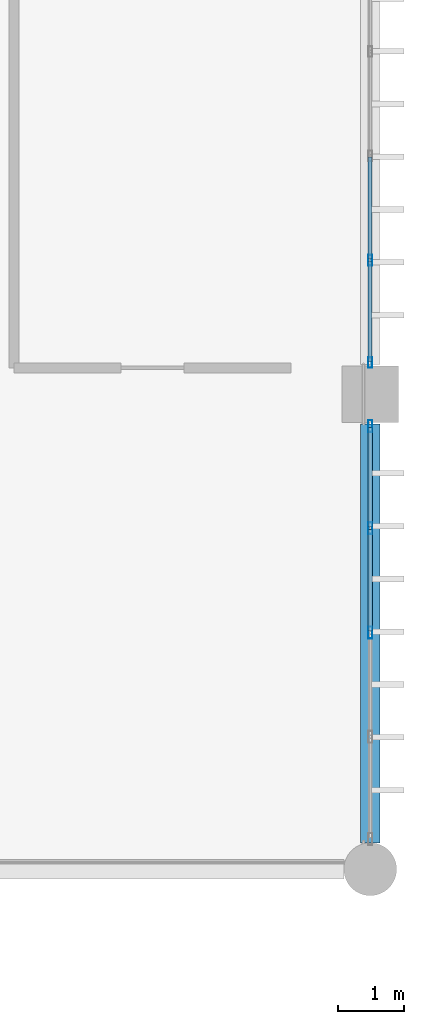
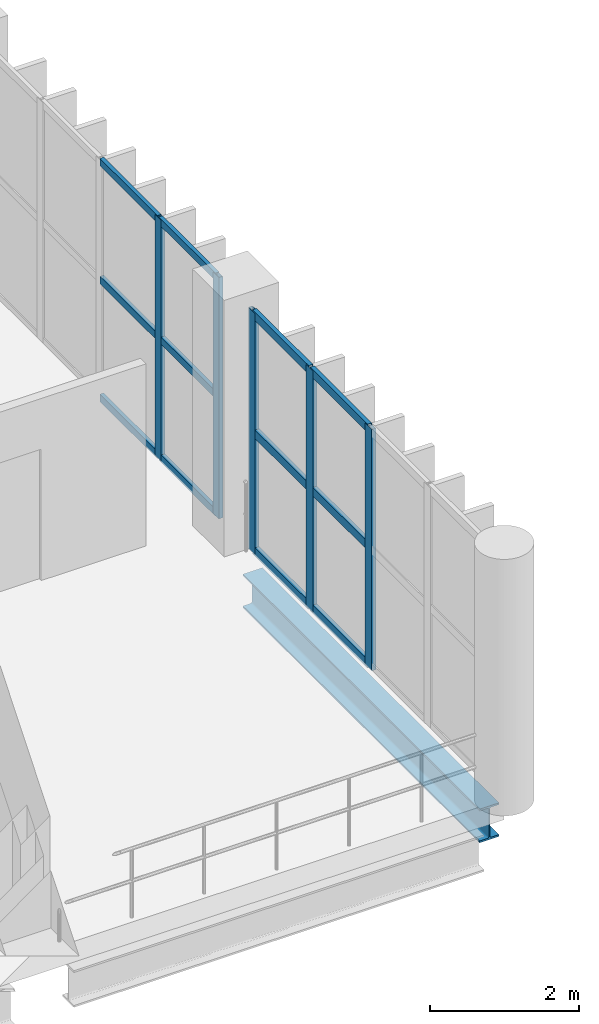
# One storey, part 75 of 153: 17 members, 1 beam, 2 elements without a shape of their own.
"""IFC4 building model written with IfcOpenShell, lengths in metres."""

from ifc_helpers import new_model, si_unit, direction, frame, origin, origin_2d, place, context, subcontext, project, spatial, hollow_rectangle, i_section, extrude, material, material_profile, profile_set, type_object, element, aggregate, save


model = new_model("IFC4")

# Units and contexts
model_context = context("Model", 3, precision=1e-05, world=origin(), true_north=direction((0.0, 1.0)))
body_context = subcontext(model_context, "Body", "Model", "MODEL_VIEW")
ifc_project = project(units=[si_unit("LENGTHUNIT", "METRE"), si_unit("AREAUNIT", "SQUARE_METRE"), si_unit("VOLUMEUNIT", "CUBIC_METRE"), si_unit("PLANEANGLEUNIT", "RADIAN"), si_unit("MASSUNIT", "GRAM", prefix="KILO")], contexts=[model_context])

# Site, building, storey
site_placement = place(None, origin())
site = spatial("IfcSite", under=ifc_project, at=site_placement, CompositionType="ELEMENT")
building_placement = place(site_placement, origin())
building = spatial("IfcBuilding", under=site, at=building_placement, Name="Qandorah Velis Arena", CompositionType="ELEMENT")
storey_placement = place(building_placement, frame((0.0, 0.0, 5.39990234375)))
storey = spatial("IfcBuildingStorey", under=building, at=storey_placement, Name="L01", CompositionType="ELEMENT", Elevation=5.39990234375)

# Curtain wall, members
ifc_material_1 = material(Name="Solar-control low-E double glazing", Category="glass")
curtain_wall_type_1 = type_object("IfcCurtainWallType", Name="ARC-CW-SYS19", PredefinedType="USERDEFINED", material=ifc_material_1)
curtain_wall_1_placement = place(storey_placement, origin())
curtain_wall_1 = element("IfcCurtainWall", 1, at=curtain_wall_1_placement, inside=storey, type_object=curtain_wall_type_1, Name="Unitised curtain wall L01-139", ObjectType="UNITISED CURTAIN WALL", PredefinedType="USERDEFINED")
ifc_material_2 = material(Name="Champagne-bronze anodized aluminium 6063-T6", Category="aluminium")
ifc_material_profile_1 = material_profile(ifc_material_2, hollow_rectangle(XDim=0.06005859375, YDim=0.159912109375, WallThickness=0.00341796875, at=origin_2d()), Name="ALU MULLION 60x160")
ifc_profile_set_1 = profile_set([ifc_material_profile_1], Name="Champagne-bronze anodized aluminium 6063-T6")
member_type_1 = type_object("IfcMemberType", Name="ARC-CWM-160", PredefinedType="MULLION", material=ifc_profile_set_1)
member_1_placement = place(storey_placement, frame((172.800048828125, 50.8798828125, -0.014892578125), z_axis=(0.0, 0.0, 1.0), x_axis=(-1.0, 0.0, 0.0)))
member_1 = element("IfcMember", 2, at=member_1_placement, type_object=member_type_1, Name="CW19 mullion 1", PredefinedType="MULLION", context=body_context, shape_type="SweptSolid", body=[
    extrude(hollow_rectangle(XDim=0.06005859375, YDim=0.159912109375, WallThickness=0.00341796875, at=origin_2d()), origin(), (0.0, 0.0, 1.0), 3.949951171875),
])
member_2_placement = place(storey_placement, frame((172.800048828125, 52.43115234375, -0.014892578125), z_axis=(0.0, 0.0, 1.0), x_axis=(-1.0, 0.0, 0.0)))
member_2 = element("IfcMember", 3, at=member_2_placement, type_object=member_type_1, Name="CW19 mullion 2", PredefinedType="MULLION", context=body_context, shape_type="SweptSolid", body=[
    extrude(hollow_rectangle(XDim=0.06005859375, YDim=0.159912109375, WallThickness=0.00341796875, at=origin_2d()), origin(), (0.0, 0.0, 1.0), 3.949951171875),
])

curtain_wall_type_2 = type_object("IfcCurtainWallType", Name="ARC-CW-SYS18", PredefinedType="USERDEFINED", material=ifc_material_1)
curtain_wall_2_placement = place(storey_placement, origin())
curtain_wall_2 = element("IfcCurtainWall", 4, at=curtain_wall_2_placement, inside=storey, type_object=curtain_wall_type_2, Name="Unitised curtain wall L01-138", ObjectType="UNITISED CURTAIN WALL", PredefinedType="USERDEFINED")
ifc_material_profile_2 = material_profile(ifc_material_2, hollow_rectangle(XDim=0.06494140625, YDim=0.179931640625, WallThickness=0.00341796875, at=origin_2d()), Name="ALU MULLION 65x180")
ifc_profile_set_2 = profile_set([ifc_material_profile_2], Name="Champagne-bronze anodized aluminium 6063-T6")
member_type_2 = type_object("IfcMemberType", Name="ARC-CWM-180", PredefinedType="MULLION", material=ifc_profile_set_2)
member_3_placement = place(storey_placement, frame((172.800048828125, 46.78759765625, -0.014892578125), z_axis=(0.0, 0.0, 1.0), x_axis=(-1.0, 0.0, 0.0)))
member_3 = element("IfcMember", 5, at=member_3_placement, type_object=member_type_2, Name="CW18 mullion 3", PredefinedType="MULLION", context=body_context, shape_type="SweptSolid", body=[
    extrude(hollow_rectangle(XDim=0.06494140625, YDim=0.179931640625, WallThickness=0.00341796875, at=origin_2d()), origin(), (0.0, 0.0, 1.0), 3.949951171875),
])
member_4_placement = place(storey_placement, frame((172.800048828125, 48.36865234375, -0.014892578125), z_axis=(0.0, 0.0, 1.0), x_axis=(-1.0, 0.0, 0.0)))
member_4 = element("IfcMember", 6, at=member_4_placement, type_object=member_type_2, Name="CW18 mullion 4", PredefinedType="MULLION", context=body_context, shape_type="SweptSolid", body=[
    extrude(hollow_rectangle(XDim=0.06494140625, YDim=0.179931640625, WallThickness=0.00341796875, at=origin_2d()), origin(), (0.0, 0.0, 1.0), 3.949951171875),
])
member_5_placement = place(storey_placement, frame((172.800048828125, 49.91748046875, -0.014892578125), z_axis=(0.0, 0.0, 1.0), x_axis=(-1.0, 0.0, 0.0)))
member_5 = element("IfcMember", 7, at=member_5_placement, type_object=member_type_2, Name="CW18 mullion 5", PredefinedType="MULLION", context=body_context, shape_type="SweptSolid", body=[
    extrude(hollow_rectangle(XDim=0.06494140625, YDim=0.179931640625, WallThickness=0.00341796875, at=origin_2d()), origin(), (0.0, 0.0, 1.0), 3.949951171875),
])

# Member
ifc_material_profile_3 = material_profile(ifc_material_2, hollow_rectangle(XDim=0.06005859375, YDim=0.1201171875, WallThickness=0.0029296875, at=origin_2d()), Name="ALU TRANSOM 60x120")
ifc_profile_set_3 = profile_set([ifc_material_profile_3], Name="Champagne-bronze anodized aluminium 6063-T6")
member_type_3 = type_object("IfcMemberType", Name="ARC-CWT-120", PredefinedType="USERDEFINED", material=ifc_profile_set_3)
member_6_placement = place(storey_placement, frame((172.800048828125, 50.89794921875, 0.030029296875), z_axis=(0.0, 1.0, 0.0), x_axis=(-1.0, 0.0, 0.0)))
member_6 = element("IfcMember", 8, at=member_6_placement, type_object=member_type_3, Name="CW19 transom 1.1", ObjectType="TRANSOM", PredefinedType="USERDEFINED", context=body_context, shape_type="SweptSolid", body=[
    extrude(hollow_rectangle(XDim=0.06005859375, YDim=0.1201171875, WallThickness=0.0029296875, at=origin_2d()), origin(), (0.0, 0.0, 1.0), 1.51513671875),
])

member_7_placement = place(storey_placement, frame((172.800048828125, 50.89794921875, 1.960205078125), z_axis=(0.0, 1.0, 0.0), x_axis=(-1.0, 0.0, 0.0)))
member_7 = element("IfcMember", 9, at=member_7_placement, type_object=member_type_3, Name="CW19 transom 1.2", ObjectType="TRANSOM", PredefinedType="USERDEFINED", context=body_context, shape_type="SweptSolid", body=[
    extrude(hollow_rectangle(XDim=0.06005859375, YDim=0.1201171875, WallThickness=0.0029296875, at=origin_2d()), origin(), (0.0, 0.0, 1.0), 1.51513671875),
])

member_8_placement = place(storey_placement, frame((172.800048828125, 50.89794921875, 3.89013671875), z_axis=(0.0, 1.0, 0.0), x_axis=(-1.0, 0.0, 0.0)))
member_8 = element("IfcMember", 10, at=member_8_placement, type_object=member_type_3, Name="CW19 transom 1.3", ObjectType="TRANSOM", PredefinedType="USERDEFINED", context=body_context, shape_type="SweptSolid", body=[
    extrude(hollow_rectangle(XDim=0.06005859375, YDim=0.1201171875, WallThickness=0.0029296875, at=origin_2d()), origin(), (0.0, 0.0, 1.0), 1.51513671875),
])

member_9_placement = place(storey_placement, frame((172.800048828125, 52.44921875, 0.030029296875), z_axis=(0.0, 1.0, 0.0), x_axis=(-1.0, 0.0, 0.0)))
member_9 = element("IfcMember", 11, at=member_9_placement, type_object=member_type_3, Name="CW19 transom 2.1", ObjectType="TRANSOM", PredefinedType="USERDEFINED", context=body_context, shape_type="SweptSolid", body=[
    extrude(hollow_rectangle(XDim=0.06005859375, YDim=0.1201171875, WallThickness=0.0029296875, at=origin_2d()), origin(), (0.0, 0.0, 1.0), 1.545166015625),
])

member_10_placement = place(storey_placement, frame((172.800048828125, 52.44921875, 1.960205078125), z_axis=(0.0, 1.0, 0.0), x_axis=(-1.0, 0.0, 0.0)))
member_10 = element("IfcMember", 12, at=member_10_placement, type_object=member_type_3, Name="CW19 transom 2.2", ObjectType="TRANSOM", PredefinedType="USERDEFINED", context=body_context, shape_type="SweptSolid", body=[
    extrude(hollow_rectangle(XDim=0.06005859375, YDim=0.1201171875, WallThickness=0.0029296875, at=origin_2d()), origin(), (0.0, 0.0, 1.0), 1.545166015625),
])

member_11_placement = place(storey_placement, frame((172.800048828125, 52.44921875, 3.89013671875), z_axis=(0.0, 1.0, 0.0), x_axis=(-1.0, 0.0, 0.0)))
member_11 = element("IfcMember", 13, at=member_11_placement, type_object=member_type_3, Name="CW19 transom 2.3", ObjectType="TRANSOM", PredefinedType="USERDEFINED", context=body_context, shape_type="SweptSolid", body=[
    extrude(hollow_rectangle(XDim=0.06005859375, YDim=0.1201171875, WallThickness=0.0029296875, at=origin_2d()), origin(), (0.0, 0.0, 1.0), 1.545166015625),
])

aggregate(curtain_wall_1, [member_1, member_2, member_6, member_7, member_8, member_9, member_10, member_11])

ifc_material_profile_4 = material_profile(ifc_material_2, hollow_rectangle(XDim=0.06494140625, YDim=0.139892578125, WallThickness=0.0029296875, at=origin_2d()), Name="ALU TRANSOM 65x140")
ifc_profile_set_4 = profile_set([ifc_material_profile_4], Name="Champagne-bronze anodized aluminium 6063-T6")
member_type_4 = type_object("IfcMemberType", Name="ARC-CWT-140", PredefinedType="USERDEFINED", material=ifc_profile_set_4)
member_12_placement = place(storey_placement, frame((172.800048828125, 46.80810546875, 0.03271484375), z_axis=(0.0, 1.0, 0.0), x_axis=(-1.0, 0.0, 0.0)))
member_12 = element("IfcMember", 14, at=member_12_placement, type_object=member_type_4, Name="CW18 transom 3.1", ObjectType="TRANSOM", PredefinedType="USERDEFINED", context=body_context, shape_type="SweptSolid", body=[
    extrude(hollow_rectangle(XDim=0.06494140625, YDim=0.139892578125, WallThickness=0.0029296875, at=origin_2d()), origin(), (0.0, 0.0, 1.0), 1.540283203125),
])

member_13_placement = place(storey_placement, frame((172.800048828125, 46.80810546875, 1.960205078125), z_axis=(0.0, 1.0, 0.0), x_axis=(-1.0, 0.0, 0.0)))
member_13 = element("IfcMember", 15, at=member_13_placement, type_object=member_type_4, Name="CW18 transom 3.2", ObjectType="TRANSOM", PredefinedType="USERDEFINED", context=body_context, shape_type="SweptSolid", body=[
    extrude(hollow_rectangle(XDim=0.06494140625, YDim=0.139892578125, WallThickness=0.0029296875, at=origin_2d()), origin(), (0.0, 0.0, 1.0), 1.540283203125),
])

member_14_placement = place(storey_placement, frame((172.800048828125, 46.80810546875, 3.8876953125), z_axis=(0.0, 1.0, 0.0), x_axis=(-1.0, 0.0, 0.0)))
member_14 = element("IfcMember", 16, at=member_14_placement, type_object=member_type_4, Name="CW18 transom 3.3", ObjectType="TRANSOM", PredefinedType="USERDEFINED", context=body_context, shape_type="SweptSolid", body=[
    extrude(hollow_rectangle(XDim=0.06494140625, YDim=0.139892578125, WallThickness=0.0029296875, at=origin_2d()), origin(), (0.0, 0.0, 1.0), 1.540283203125),
])

member_15_placement = place(storey_placement, frame((172.800048828125, 48.389404296875, 0.03271484375), z_axis=(0.0, 1.0, 0.0), x_axis=(-1.0, 0.0, 0.0)))
member_15 = element("IfcMember", 17, at=member_15_placement, type_object=member_type_4, Name="CW18 transom 4.1", ObjectType="TRANSOM", PredefinedType="USERDEFINED", context=body_context, shape_type="SweptSolid", body=[
    extrude(hollow_rectangle(XDim=0.06494140625, YDim=0.139892578125, WallThickness=0.0029296875, at=origin_2d()), origin(), (0.0, 0.0, 1.0), 1.507568359375),
])

member_16_placement = place(storey_placement, frame((172.800048828125, 48.389404296875, 1.960205078125), z_axis=(0.0, 1.0, 0.0), x_axis=(-1.0, 0.0, 0.0)))
member_16 = element("IfcMember", 18, at=member_16_placement, type_object=member_type_4, Name="CW18 transom 4.2", ObjectType="TRANSOM", PredefinedType="USERDEFINED", context=body_context, shape_type="SweptSolid", body=[
    extrude(hollow_rectangle(XDim=0.06494140625, YDim=0.139892578125, WallThickness=0.0029296875, at=origin_2d()), origin(), (0.0, 0.0, 1.0), 1.507568359375),
])

member_17_placement = place(storey_placement, frame((172.800048828125, 48.389404296875, 3.8876953125), z_axis=(0.0, 1.0, 0.0), x_axis=(-1.0, 0.0, 0.0)))
member_17 = element("IfcMember", 19, at=member_17_placement, type_object=member_type_4, Name="CW18 transom 4.3", ObjectType="TRANSOM", PredefinedType="USERDEFINED", context=body_context, shape_type="SweptSolid", body=[
    extrude(hollow_rectangle(XDim=0.06494140625, YDim=0.139892578125, WallThickness=0.0029296875, at=origin_2d()), origin(), (0.0, 0.0, 1.0), 1.507568359375),
])

aggregate(curtain_wall_2, [member_3, member_4, member_5, member_12, member_13, member_14, member_15, member_16, member_17])

# Beam
ifc_material_3 = material(Name="Steel S355", Category="steel")
ifc_material_profile_5 = material_profile(ifc_material_3, i_section(OverallWidth=0.300048828125, OverallDepth=0.550048828125, WebThickness=0.014892578125, FlangeThickness=0.029052734375, FilletRadius=0.027099609375, at=origin_2d()), Name="HEB 550")
ifc_profile_set_5 = profile_set([ifc_material_profile_5], Name="Steel S355")
beam_type = type_object("IfcBeamType", Name="STR-BM-HEB550", PredefinedType="BEAM", material=ifc_profile_set_5)
beam_placement = place(storey_placement, frame((172.800048828125, 43.60009765625, -0.635009765625), z_axis=(0.0, 1.0, 0.0), x_axis=(-1.0, 0.0, 0.0)))
element("IfcBeam", 20, at=beam_placement, inside=storey, type_object=beam_type, Name="Primary floor girder L01 Y-420", PredefinedType="BEAM", context=body_context, shape_type="SweptSolid", body=[
    extrude(i_section(OverallWidth=0.300048828125, OverallDepth=0.550048828125, WebThickness=0.014892578125, FlangeThickness=0.029052734375, FilletRadius=0.027099609375, at=origin_2d()), origin(), (0.0, 0.0, 1.0), 6.349853515625),
])

save(model, "model.ifc")
